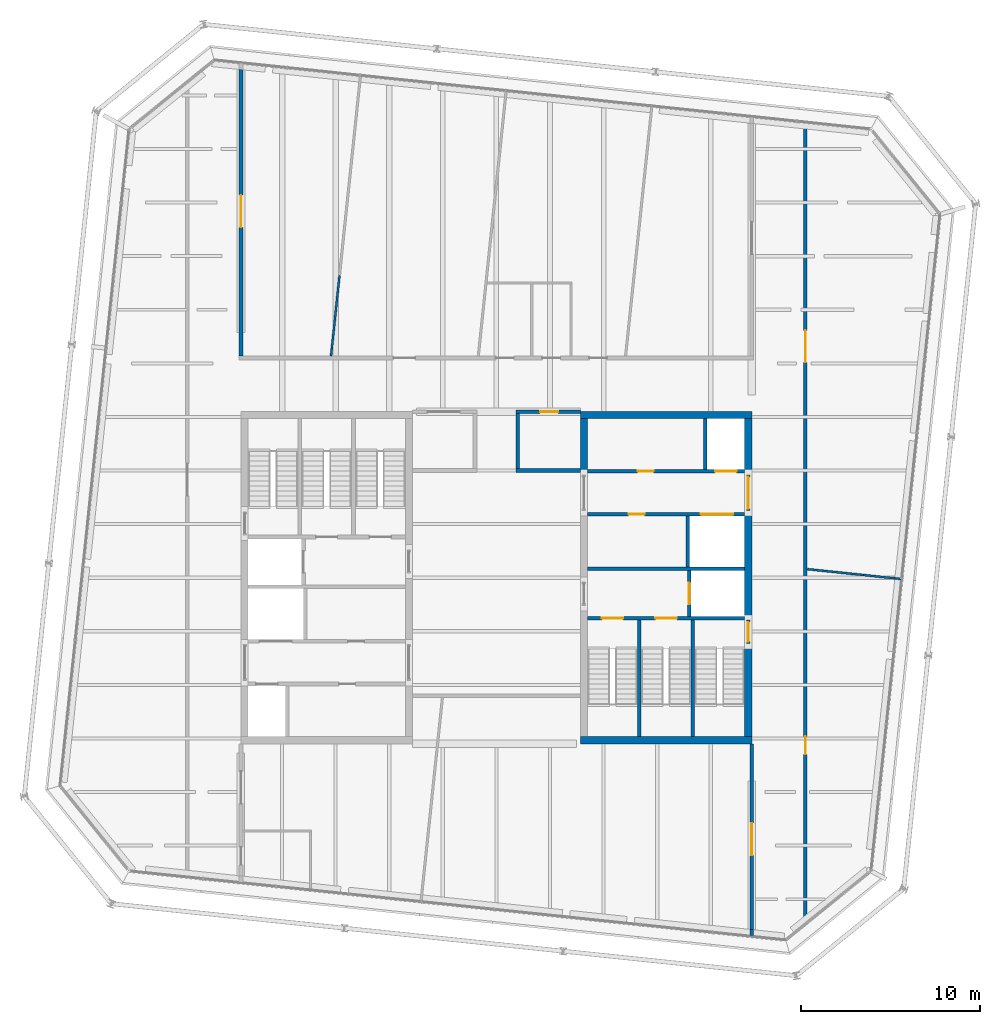
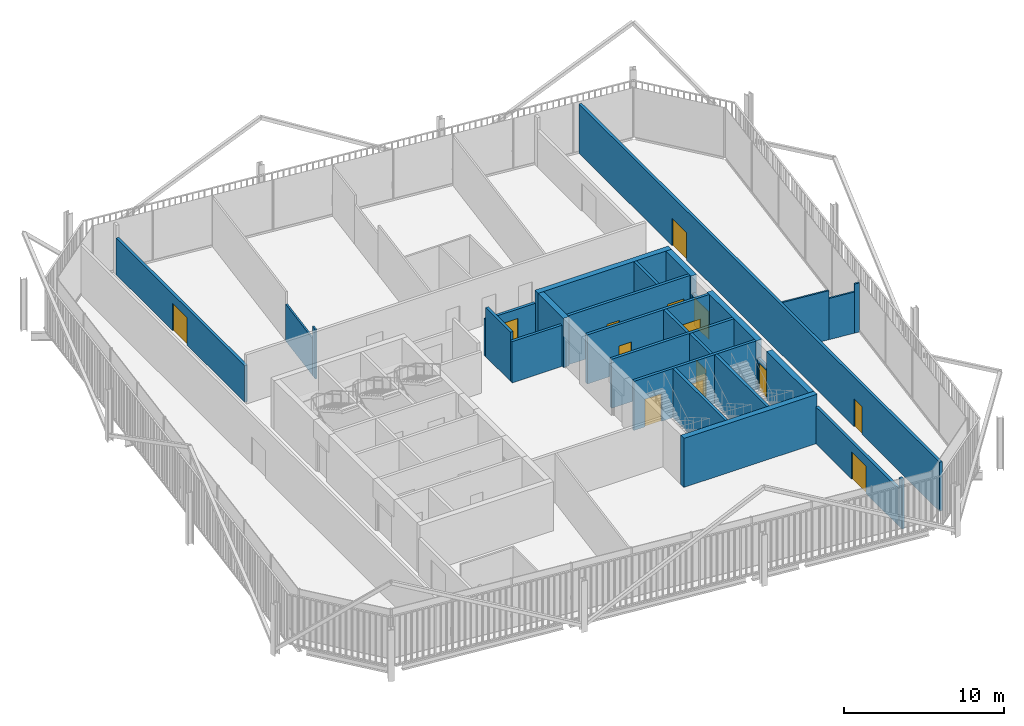
# One storey, part 18 of 21: 29 walls, 14 doors, 14 openings.
"""IFC4 building model written with IfcOpenShell, lengths in metres."""

from ifc_helpers import new_model, si_unit, direction, frame, frame_2d, origin, place, context, subcontext, project, spatial, rectangle, extrude, material, layer, layer_set, type_object, element, fill, save


model = new_model("IFC4")

# Units and contexts
model_context = context("Model", 3, precision=1e-05, world=origin(), true_north=direction((0.0, 1.0)))
body_context = subcontext(model_context, "Body", "Model", "MODEL_VIEW")
ifc_project = project(units=[si_unit("LENGTHUNIT", "METRE"), si_unit("AREAUNIT", "SQUARE_METRE"), si_unit("VOLUMEUNIT", "CUBIC_METRE"), si_unit("PLANEANGLEUNIT", "RADIAN"), si_unit("MASSUNIT", "GRAM", prefix="KILO")], contexts=[model_context])

# Site, building, storey
site_placement = place(None, origin())
site = spatial("IfcSite", under=ifc_project, at=site_placement, CompositionType="ELEMENT")
building_placement = place(site_placement, origin())
building = spatial("IfcBuilding", under=site, at=building_placement, Name="Millrace Tower", CompositionType="ELEMENT")
storey_placement = place(building_placement, frame((0.0, 0.0, 276.0)))
storey = spatial("IfcBuildingStorey", under=building, at=storey_placement, Name="L63", CompositionType="ELEMENT", Elevation=276.0)

# Walls
ifc_material_1 = material(Name="Concrete C60", Category="concrete")
ifc_layer_1 = layer(ifc_material_1, 0.39990234375)
ifc_layer_set_1 = layer_set([ifc_layer_1], Name="Concrete C60")
wall_type_1 = type_object("IfcWallType", Name="Core wall 400 Concrete C60", PredefinedType="SHEAR", material=ifc_layer_set_1)
for number, where, z_axis, x_axis, name in (
    (1, (14.300048828125, 9.10009765625, 0.0), (0.0, 0.0, 1.0), (-1.0, 0.0, 0.0), "Core wall E L63"),
    (2, (14.300048828125, -9.10009765625, 0.0), (0.0, 0.0, 1.0), (-1.0, 0.0, 0.0), "Core wall E L63"),
):
    element("IfcWall", number, at=place(storey_placement, frame(where, z_axis=z_axis, x_axis=x_axis)), inside=storey, type_object=wall_type_1, Name=name, PredefinedType="SHEAR", context=body_context, shape_type="SweptSolid", body=[
        extrude(rectangle(XDim=9.60009765625, YDim=0.39990234375, at=frame_2d((4.800048828125, 0.0))), origin(), (0.0, 0.0, 1.0), 3.739990234375),
    ])
wall_1_placement = place(storey_placement, frame((14.10009765625, 8.89990234375, 0.0), z_axis=(0.0, 0.0, 1.0), x_axis=(0.0, -1.0, 0.0)))
element("IfcWall", 3, at=wall_1_placement, inside=storey, type_object=wall_type_1, Name="Core wall E L63", PredefinedType="SHEAR", context=body_context, shape_type="SweptSolid", body=[
    extrude(rectangle(XDim=3.14990234375, YDim=0.39990234375, at=frame_2d((1.574951171875, 0.0))), origin(), (0.0, 0.0, 1.0), 3.739990234375),
])
wall_2_placement = place(storey_placement, frame((14.10009765625, 3.75, 0.0), z_axis=(0.0, 0.0, 1.0), x_axis=(0.0, -1.0, 0.0)))
element("IfcWall", 4, at=wall_2_placement, inside=storey, type_object=wall_type_1, Name="Core wall E L63", PredefinedType="SHEAR", context=body_context, shape_type="SweptSolid", body=[
    extrude(rectangle(XDim=6.1298828125, YDim=0.39990234375, at=frame_2d((3.06494140625, 0.0))), origin(), (0.0, 0.0, 1.0), 3.739990234375),
])
wall_3_placement = place(storey_placement, frame((14.10009765625, -3.679931640625, 0.0), z_axis=(0.0, 0.0, 1.0), x_axis=(0.0, -1.0, 0.0)))
element("IfcWall", 5, at=wall_3_placement, inside=storey, type_object=wall_type_1, Name="Core wall E L63", PredefinedType="SHEAR", context=body_context, shape_type="SweptSolid", body=[
    extrude(rectangle(XDim=5.219970703125, YDim=0.39990234375, at=frame_2d((2.60986328125, 0.0))), origin(), (0.0, 0.0, 1.0), 3.739990234375),
])
wall_4_placement = place(storey_placement, frame((4.89990234375, 8.89990234375, 0.0), z_axis=(0.0, 0.0, 1.0), x_axis=(0.0, -1.0, 0.0)))
element("IfcWall", 6, at=wall_4_placement, inside=storey, type_object=wall_type_1, Name="Core wall E L63", PredefinedType="SHEAR", context=body_context, shape_type="SweptSolid", body=[
    extrude(rectangle(XDim=3.14990234375, YDim=0.39990234375, at=frame_2d((1.574951171875, 0.0))), origin(), (0.0, 0.0, 1.0), 3.739990234375),
])
ifc_material_2 = material(Name="Masonry partition, fire-rated", Category="masonry")
ifc_layer_2 = layer(ifc_material_2, 0.199951171875)
ifc_layer_set_2 = layer_set([ifc_layer_2], Name="Masonry partition, fire-rated")
wall_type_2 = type_object("IfcWallType", Name="Corridor wall 200", PredefinedType="PARTITIONING", material=ifc_layer_set_2)
wall_5_placement = place(storey_placement, frame((1.10009765625, 6.0, 0.0), z_axis=(0.0, 0.0, 1.0), x_axis=(1.0, 0.0, 0.0)))
element("IfcWall", 7, at=wall_5_placement, inside=storey, type_object=wall_type_2, Name="Corridor wall L63", PredefinedType="PARTITIONING", context=body_context, shape_type="SweptSolid", body=[
    extrude(rectangle(XDim=3.599853515625, YDim=0.199951171875, at=frame_2d((1.7998046875, 0.0))), origin(), (0.0, 0.0, 1.0), 3.140625),
])

# Wall, opening, door
wall_6_placement = place(storey_placement, frame((1.10009765625, 9.300048828125, 0.0), z_axis=(0.0, 0.0, 1.0), x_axis=(1.0, 0.0, 0.0)))
wall_6 = element("IfcWall", 8, at=wall_6_placement, inside=storey, type_object=wall_type_2, Name="Corridor wall L63", PredefinedType="PARTITIONING", context=body_context, shape_type="SweptSolid", body=[
    extrude(rectangle(XDim=3.599853515625, YDim=0.199951171875, at=frame_2d((1.7998046875, 0.0))), origin(), (0.0, 0.0, 1.0), 2.81298828125),
])
opening_1_placement = place(wall_6_placement, frame((1.35009765625, 0.0, 0.0)))
opening_1 = element("IfcOpeningElement", 9, at=opening_1_placement, cuts=wall_6, Name="Opening 63-P002", PredefinedType="OPENING", context=body_context, shape_type="SweptSolid", body=[
    extrude(rectangle(XDim=1.0, YDim=2.10009765625, at=frame_2d((0.5, 1.050048828125))), frame((0.0, 0.10986328125, 0.0), z_axis=(0.0, -1.0, 0.0), x_axis=(1.0, 0.0, 0.0)), (0.0, 0.0, 1.0), 0.219970703125),
])
ifc_material_3 = material(Name="Steel door set, fire-rated", Category="steel")
door_type_1 = type_object("IfcDoorType", Name="Corridor door 1000 x 2100", OperationType="SINGLE_SWING_LEFT", PredefinedType="DOOR", material=ifc_material_3)
door_1_placement = place(opening_1_placement, frame((1.0, 0.0, 0.0), z_axis=(0.0, 0.0, 1.0), x_axis=(-1.0, 0.0, 0.0)))
door_1 = element("IfcDoor", 10, at=door_1_placement, inside=storey, type_object=door_type_1, Name="Door 63-P002", OperationType="SINGLE_SWING_LEFT", OverallHeight=2.10009765625, OverallWidth=1.0, PredefinedType="DOOR", context=body_context, shape_type="SweptSolid", body=[
    extrude(rectangle(XDim=1.0, YDim=2.10009765625, at=frame_2d((0.5, 1.050048828125))), frame((0.0, 0.02490234375, 0.0), z_axis=(0.0, -1.0, 0.0), x_axis=(1.0, 0.0, 0.0)), (0.0, 0.0, 1.0), 0.050048828125),
])
fill(opening_1, door_1)

# Wall, openings, doors
wall_7_placement = place(storey_placement, frame((17.300048828125, -19.5283203125, 0.0), z_axis=(0.0, 0.0, 1.0), x_axis=(0.0, 1.0, 0.0)))
wall_7 = element("IfcWall", 11, at=wall_7_placement, inside=storey, type_object=wall_type_2, Name="Corridor wall L63", PredefinedType="PARTITIONING", context=body_context, shape_type="SweptSolid", body=[
    extrude(rectangle(XDim=44.986572265625, YDim=0.199951171875, at=frame_2d((22.4931640625, 0.0))), origin(), (0.0, 0.0, 1.0), 3.739990234375),
])
opening_2_placement = place(wall_7_placement, frame((9.6416015625, 0.0, 0.0)))
opening_2 = element("IfcOpeningElement", 12, at=opening_2_placement, cuts=wall_7, Name="Opening 63-P010", PredefinedType="OPENING", context=body_context, shape_type="SweptSolid", body=[
    extrude(rectangle(XDim=1.0, YDim=2.10009765625, at=frame_2d((0.5, 1.050048828125))), frame((0.0, 0.10986328125, 0.0), z_axis=(0.0, -1.0, 0.0), x_axis=(1.0, 0.0, 0.0)), (0.0, 0.0, 1.0), 0.219970703125),
])
opening_3_placement = place(wall_7_placement, frame((31.57763671875, 0.0, 0.0)))
opening_3 = element("IfcOpeningElement", 13, at=opening_3_placement, cuts=wall_7, Name="Opening 63-P011", PredefinedType="OPENING", context=body_context, shape_type="SweptSolid", body=[
    extrude(rectangle(XDim=1.800048828125, YDim=2.10009765625, at=frame_2d((0.89990234375, 1.050048828125))), frame((0.0, 0.10986328125, 0.0), z_axis=(0.0, -1.0, 0.0), x_axis=(1.0, 0.0, 0.0)), (0.0, 0.0, 1.0), 0.219970703125),
])
door_2_placement = place(opening_2_placement, frame((1.0, 0.0, 0.0), z_axis=(0.0, 0.0, 1.0), x_axis=(-1.0, 0.0, 0.0)))
door_2 = element("IfcDoor", 14, at=door_2_placement, inside=storey, type_object=door_type_1, Name="Door 63-P010", OperationType="SINGLE_SWING_RIGHT", OverallHeight=2.10009765625, OverallWidth=1.0, PredefinedType="DOOR", context=body_context, shape_type="SweptSolid", body=[
    extrude(rectangle(XDim=1.0, YDim=2.10009765625, at=frame_2d((0.5, 1.050048828125))), frame((0.0, 0.02490234375, 0.0), z_axis=(0.0, -1.0, 0.0), x_axis=(1.0, 0.0, 0.0)), (0.0, 0.0, 1.0), 0.050048828125),
])
fill(opening_2, door_2)
ifc_material_4 = material(Name="Steel door set, fire-rated", Category="steel")
door_type_2 = type_object("IfcDoorType", Name="Corridor door 1800 x 2100", OperationType="DOUBLE_DOOR_SINGLE_SWING", PredefinedType="DOOR", material=ifc_material_4)
door_3_placement = place(opening_3_placement, origin())
door_3 = element("IfcDoor", 15, at=door_3_placement, inside=storey, type_object=door_type_2, Name="Door 63-P011", OperationType="DOUBLE_DOOR_SINGLE_SWING", OverallHeight=2.10009765625, OverallWidth=1.800048828125, PredefinedType="DOOR", context=body_context, shape_type="SweptSolid", body=[
    extrude(rectangle(XDim=1.800048828125, YDim=2.10009765625, at=frame_2d((0.89990234375, 1.050048828125))), frame((0.0, 0.02490234375, 0.0), z_axis=(0.0, -1.0, 0.0), x_axis=(1.0, 0.0, 0.0)), (0.0, 0.0, 1.0), 0.050048828125),
])
fill(opening_3, door_3)

# Wall
wall_8_placement = place(storey_placement, frame((14.300048828125, -20.037353515625, 0.0), z_axis=(0.0, 0.0, 1.0), x_axis=(0.0, 1.0, 0.0)))
element("IfcWall", 16, at=wall_8_placement, inside=storey, type_object=wall_type_2, Name="Corridor wall L63", PredefinedType="PARTITIONING", context=body_context, shape_type="SweptSolid", body=[
    extrude(rectangle(XDim=0.339111328125, YDim=0.199951171875, at=frame_2d((0.16943359375, 0.0))), origin(), (0.0, 0.0, 1.0), 3.739990234375),
])

# Wall, opening, door
wall_9_placement = place(storey_placement, frame((14.300048828125, -19.6982421875, 0.0), z_axis=(0.0, 0.0, 1.0), x_axis=(0.0, 1.0, 0.0)))
wall_9 = element("IfcWall", 17, at=wall_9_placement, inside=storey, type_object=wall_type_2, Name="Corridor wall L63", PredefinedType="PARTITIONING", context=body_context, shape_type="SweptSolid", body=[
    extrude(rectangle(XDim=10.398193359375, YDim=0.199951171875, at=frame_2d((5.19921875, 0.0))), origin(), (0.0, 0.0, 1.0), 2.81298828125),
])
opening_4_placement = place(wall_9_placement, frame((4.15478515625, 0.0, 0.0)))
opening_4 = element("IfcOpeningElement", 18, at=opening_4_placement, cuts=wall_9, Name="Opening 63-P014", PredefinedType="OPENING", context=body_context, shape_type="SweptSolid", body=[
    extrude(rectangle(XDim=1.800048828125, YDim=2.10009765625, at=frame_2d((0.89990234375, 1.050048828125))), frame((0.0, 0.10986328125, 0.0), z_axis=(0.0, -1.0, 0.0), x_axis=(1.0, 0.0, 0.0)), (0.0, 0.0, 1.0), 0.219970703125),
])
door_4_placement = place(opening_4_placement, frame((1.800048828125, 0.0, 0.0), z_axis=(0.0, 0.0, 1.0), x_axis=(-1.0, 0.0, 0.0)))
door_4 = element("IfcDoor", 19, at=door_4_placement, inside=storey, type_object=door_type_2, Name="Door 63-P014", OperationType="DOUBLE_DOOR_SINGLE_SWING", OverallHeight=2.10009765625, OverallWidth=1.800048828125, PredefinedType="DOOR", context=body_context, shape_type="SweptSolid", body=[
    extrude(rectangle(XDim=1.800048828125, YDim=2.10009765625, at=frame_2d((0.89990234375, 1.050048828125))), frame((0.0, 0.02490234375, 0.0), z_axis=(0.0, -1.0, 0.0), x_axis=(1.0, 0.0, 0.0)), (0.0, 0.0, 1.0), 0.050048828125),
])
fill(opening_4, door_4)

# Wall
wall_10_placement = place(storey_placement, frame((1.199951171875, 6.10009765625, 0.0), z_axis=(0.0, 0.0, 1.0), x_axis=(0.0, 1.0, 0.0)))
element("IfcWall", 20, at=wall_10_placement, inside=storey, type_object=wall_type_2, Name="Corridor wall L63", PredefinedType="PARTITIONING", context=body_context, shape_type="SweptSolid", body=[
    extrude(rectangle(XDim=3.099853515625, YDim=0.199951171875, at=frame_2d((1.5498046875, 0.0))), origin(), (0.0, 0.0, 1.0), 3.739990234375),
])

# Wall, opening, door
wall_11_placement = place(storey_placement, frame((-14.300048828125, 12.39990234375, 0.0), z_axis=(0.0, 0.0, 1.0), x_axis=(0.0, 1.0, 0.0)))
wall_11 = element("IfcWall", 21, at=wall_11_placement, inside=storey, type_object=wall_type_2, Name="Corridor wall L63", PredefinedType="PARTITIONING", context=body_context, shape_type="SweptSolid", body=[
    extrude(rectangle(XDim=16.040283203125, YDim=0.199951171875, at=frame_2d((8.02001953125, 0.0))), origin(), (0.0, 0.0, 1.0), 2.79248046875),
])
opening_5_placement = place(wall_11_placement, frame((7.214599609375, 0.0, 0.0)))
opening_5 = element("IfcOpeningElement", 22, at=opening_5_placement, cuts=wall_11, Name="Opening 63-P004", PredefinedType="OPENING", context=body_context, shape_type="SweptSolid", body=[
    extrude(rectangle(XDim=1.800048828125, YDim=2.10009765625, at=frame_2d((0.89990234375, 1.050048828125))), frame((0.0, 0.10986328125, 0.0), z_axis=(0.0, -1.0, 0.0), x_axis=(1.0, 0.0, 0.0)), (0.0, 0.0, 1.0), 0.219970703125),
])
door_5_placement = place(opening_5_placement, frame((1.800048828125, 0.0, 0.0), z_axis=(0.0, 0.0, 1.0), x_axis=(-1.0, 0.0, 0.0)))
door_5 = element("IfcDoor", 23, at=door_5_placement, inside=storey, type_object=door_type_2, Name="Door 63-P004", OperationType="DOUBLE_DOOR_SINGLE_SWING", OverallHeight=2.10009765625, OverallWidth=1.800048828125, PredefinedType="DOOR", context=body_context, shape_type="SweptSolid", body=[
    extrude(rectangle(XDim=1.800048828125, YDim=2.10009765625, at=frame_2d((0.89990234375, 1.050048828125))), frame((0.0, 0.02490234375, 0.0), z_axis=(0.0, -1.0, 0.0), x_axis=(1.0, 0.0, 0.0)), (0.0, 0.0, 1.0), 0.050048828125),
])
fill(opening_5, door_5)

# Wall, openings, doors
ifc_material_5 = material(Name="Masonry partition, fire-rated", Category="masonry")
ifc_layer_3 = layer(ifc_material_5, 0.199951171875)
ifc_layer_set_3 = layer_set([ifc_layer_3], Name="Masonry partition, fire-rated")
wall_type_3 = type_object("IfcWallType", Name="Lift shaft wall 200", PredefinedType="PARTITIONING", material=ifc_layer_set_3)
wall_12_placement = place(storey_placement, frame((13.89990234375, 5.949951171875, 0.0), z_axis=(0.0, 0.0, 1.0), x_axis=(-1.0, 0.0, 0.0)))
wall_12 = element("IfcWall", 24, at=wall_12_placement, inside=storey, type_object=wall_type_3, Name="Lift shaft wall E L63", PredefinedType="PARTITIONING", context=body_context, shape_type="SweptSolid", body=[
    extrude(rectangle(XDim=8.7998046875, YDim=0.199951171875, at=frame_2d((4.39990234375, 0.0))), origin(), (0.0, 0.0, 1.0), 3.739990234375),
])
opening_6_placement = place(wall_12_placement, frame((0.449951171875, 0.0, 0.0)))
opening_6 = element("IfcOpeningElement", 25, at=opening_6_placement, cuts=wall_12, Name="Opening 63-LD09", PredefinedType="OPENING", context=body_context, shape_type="SweptSolid", body=[
    extrude(rectangle(XDim=1.199951171875, YDim=2.10009765625, at=frame_2d((0.60009765625, 1.050048828125))), frame((0.0, 0.10986328125, 0.0), z_axis=(0.0, -1.0, 0.0), x_axis=(1.0, 0.0, 0.0)), (0.0, 0.0, 1.0), 0.219970703125),
])
opening_7_placement = place(wall_12_placement, frame((5.10009765625, 0.0, 0.0)))
opening_7 = element("IfcOpeningElement", 26, at=opening_7_placement, cuts=wall_12, Name="Opening 63-C013", PredefinedType="OPENING", context=body_context, shape_type="SweptSolid", body=[
    extrude(rectangle(XDim=0.89990234375, YDim=2.10009765625, at=frame_2d((0.449951171875, 1.050048828125))), frame((0.0, 0.10986328125, 0.0), z_axis=(0.0, -1.0, 0.0), x_axis=(1.0, 0.0, 0.0)), (0.0, 0.0, 1.0), 0.219970703125),
])
ifc_material_6 = material(Name="Stainless steel, fire-rated", Category="steel")
door_type_3 = type_object("IfcDoorType", Name="Lift landing door 1200 x 2100", OperationType="DOUBLE_DOOR_SLIDING", PredefinedType="DOOR", material=ifc_material_6)
door_6_placement = place(opening_6_placement, origin())
door_6 = element("IfcDoor", 27, at=door_6_placement, inside=storey, type_object=door_type_3, Name="Lift landing door LF9 L63", OperationType="DOUBLE_DOOR_SLIDING", OverallHeight=2.10009765625, OverallWidth=1.199951171875, PredefinedType="DOOR", context=body_context, shape_type="SweptSolid", body=[
    extrude(rectangle(XDim=1.199951171875, YDim=2.10009765625, at=frame_2d((0.60009765625, 1.050048828125))), frame((0.0, 0.02490234375, 0.0), z_axis=(0.0, -1.0, 0.0), x_axis=(1.0, 0.0, 0.0)), (0.0, 0.0, 1.0), 0.050048828125),
])
fill(opening_6, door_6)
ifc_material_7 = material(Name="Steel door, fire-rated", Category="steel")
door_type_4 = type_object("IfcDoorType", Name="Service room door 900 x 2100", OperationType="SINGLE_SWING_LEFT", PredefinedType="DOOR", material=ifc_material_7)
door_7_placement = place(opening_7_placement, frame((0.89990234375, 0.0, 0.0), z_axis=(0.0, 0.0, 1.0), x_axis=(-1.0, 0.0, 0.0)))
door_7 = element("IfcDoor", 28, at=door_7_placement, inside=storey, type_object=door_type_4, Name="Service room door 63-C013", OperationType="SINGLE_SWING_LEFT", OverallHeight=2.10009765625, OverallWidth=0.89990234375, PredefinedType="DOOR", context=body_context, shape_type="SweptSolid", body=[
    extrude(rectangle(XDim=0.89990234375, YDim=2.10009765625, at=frame_2d((0.449951171875, 1.050048828125))), frame((0.0, 0.02490234375, 0.0), z_axis=(0.0, -1.0, 0.0), x_axis=(1.0, 0.0, 0.0)), (0.0, 0.0, 1.0), 0.050048828125),
])
fill(opening_7, door_7)

wall_13_placement = place(storey_placement, frame((13.89990234375, 3.550048828125, 0.0), z_axis=(0.0, 0.0, 1.0), x_axis=(-1.0, 0.0, 0.0)))
wall_13 = element("IfcWall", 29, at=wall_13_placement, inside=storey, type_object=wall_type_3, Name="Lift shaft wall E L63", PredefinedType="PARTITIONING", context=body_context, shape_type="SweptSolid", body=[
    extrude(rectangle(XDim=8.7998046875, YDim=0.199951171875, at=frame_2d((4.39990234375, 0.0))), origin(), (0.0, 0.0, 1.0), 3.739990234375),
])
opening_8_placement = place(wall_13_placement, frame((0.64990234375, 0.0, 0.0)))
opening_8 = element("IfcOpeningElement", 30, at=opening_8_placement, cuts=wall_13, Name="Opening 63-LD13", PredefinedType="OPENING", context=body_context, shape_type="SweptSolid", body=[
    extrude(rectangle(XDim=1.800048828125, YDim=2.10009765625, at=frame_2d((0.89990234375, 1.050048828125))), frame((0.0, 0.10986328125, 0.0), z_axis=(0.0, -1.0, 0.0), x_axis=(1.0, 0.0, 0.0)), (0.0, 0.0, 1.0), 0.219970703125),
])
opening_9_placement = place(wall_13_placement, frame((5.60009765625, 0.0, 0.0)))
opening_9 = element("IfcOpeningElement", 31, at=opening_9_placement, cuts=wall_13, Name="Opening 63-C014", PredefinedType="OPENING", context=body_context, shape_type="SweptSolid", body=[
    extrude(rectangle(XDim=0.89990234375, YDim=2.10009765625, at=frame_2d((0.449951171875, 1.050048828125))), frame((0.0, 0.10986328125, 0.0), z_axis=(0.0, -1.0, 0.0), x_axis=(1.0, 0.0, 0.0)), (0.0, 0.0, 1.0), 0.219970703125),
])
ifc_material_8 = material(Name="Stainless steel, fire-rated", Category="steel")
door_type_5 = type_object("IfcDoorType", Name="Lift landing door 1800 x 2100", OperationType="DOUBLE_DOOR_SLIDING", PredefinedType="DOOR", material=ifc_material_8)
door_8_placement = place(opening_8_placement, origin())
door_8 = element("IfcDoor", 32, at=door_8_placement, inside=storey, type_object=door_type_5, Name="Lift landing door LF13 L63", OperationType="DOUBLE_DOOR_SLIDING", OverallHeight=2.10009765625, OverallWidth=1.800048828125, PredefinedType="DOOR", context=body_context, shape_type="SweptSolid", body=[
    extrude(rectangle(XDim=1.800048828125, YDim=2.10009765625, at=frame_2d((0.89990234375, 1.050048828125))), frame((0.0, 0.02490234375, 0.0), z_axis=(0.0, -1.0, 0.0), x_axis=(1.0, 0.0, 0.0)), (0.0, 0.0, 1.0), 0.050048828125),
])
fill(opening_8, door_8)
door_9_placement = place(opening_9_placement, origin())
door_9 = element("IfcDoor", 33, at=door_9_placement, inside=storey, type_object=door_type_4, Name="Service room door 63-C014", OperationType="SINGLE_SWING_RIGHT", OverallHeight=2.10009765625, OverallWidth=0.89990234375, PredefinedType="DOOR", context=body_context, shape_type="SweptSolid", body=[
    extrude(rectangle(XDim=0.89990234375, YDim=2.10009765625, at=frame_2d((0.449951171875, 1.050048828125))), frame((0.0, 0.02490234375, 0.0), z_axis=(0.0, -1.0, 0.0), x_axis=(1.0, 0.0, 0.0)), (0.0, 0.0, 1.0), 0.050048828125),
])
fill(opening_9, door_9)

# Wall
wall_14_placement = place(storey_placement, frame((13.89990234375, 0.5, 0.0), z_axis=(0.0, 0.0, 1.0), x_axis=(-1.0, 0.0, 0.0)))
element("IfcWall", 34, at=wall_14_placement, inside=storey, type_object=wall_type_3, Name="Lift shaft wall E L63", PredefinedType="PARTITIONING", context=body_context, shape_type="SweptSolid", body=[
    extrude(rectangle(XDim=8.7998046875, YDim=0.199951171875, at=frame_2d((4.39990234375, 0.0))), origin(), (0.0, 0.0, 1.0), 3.739990234375),
])

# Wall, opening, door
wall_15_placement = place(storey_placement, frame((10.800048828125, 0.39990234375, 0.0), z_axis=(0.0, 0.0, 1.0), x_axis=(0.0, -1.0, 0.0)))
wall_15 = element("IfcWall", 35, at=wall_15_placement, inside=storey, type_object=wall_type_3, Name="Lift shaft wall E L63", PredefinedType="PARTITIONING", context=body_context, shape_type="SweptSolid", body=[
    extrude(rectangle(XDim=2.579833984375, YDim=0.199951171875, at=frame_2d((1.2900390625, 0.0))), origin(), (0.0, 0.0, 1.0), 3.739990234375),
])
opening_10_placement = place(wall_15_placement, frame((0.68994140625, 0.0, 0.0)))
opening_10 = element("IfcOpeningElement", 36, at=opening_10_placement, cuts=wall_15, Name="Opening 63-LD16", PredefinedType="OPENING", context=body_context, shape_type="SweptSolid", body=[
    extrude(rectangle(XDim=1.199951171875, YDim=2.10009765625, at=frame_2d((0.60009765625, 1.050048828125))), frame((0.0, 0.10986328125, 0.0), z_axis=(0.0, -1.0, 0.0), x_axis=(1.0, 0.0, 0.0)), (0.0, 0.0, 1.0), 0.219970703125),
])
door_10_placement = place(opening_10_placement, origin())
door_10 = element("IfcDoor", 37, at=door_10_placement, inside=storey, type_object=door_type_3, Name="Lift landing door LF16 L63", OperationType="DOUBLE_DOOR_SLIDING", OverallHeight=2.10009765625, OverallWidth=1.199951171875, PredefinedType="DOOR", context=body_context, shape_type="SweptSolid", body=[
    extrude(rectangle(XDim=1.199951171875, YDim=2.10009765625, at=frame_2d((0.60009765625, 1.050048828125))), frame((0.0, 0.02490234375, 0.0), z_axis=(0.0, -1.0, 0.0), x_axis=(1.0, 0.0, 0.0)), (0.0, 0.0, 1.0), 0.050048828125),
])
fill(opening_10, door_10)

# Walls
for number, where, z_axis, x_axis, name in (
    (38, (11.699951171875, 8.89990234375, 0.0), (0.0, 0.0, 1.0), (0.0, -1.0, 0.0), "Lift shaft wall E L63"),
    (39, (10.699951171875, 3.449951171875, 0.0), (0.0, 0.0, 1.0), (0.0, -1.0, 0.0), "Lift shaft wall E L63"),
):
    element("IfcWall", number, at=place(storey_placement, frame(where, z_axis=z_axis, x_axis=x_axis)), inside=storey, type_object=wall_type_3, Name=name, PredefinedType="PARTITIONING", context=body_context, shape_type="SweptSolid", body=[
        extrude(rectangle(XDim=2.849853515625, YDim=0.199951171875, at=frame_2d((1.4248046875, 0.0))), origin(), (0.0, 0.0, 1.0), 3.739990234375),
    ])

# Wall, opening, door
ifc_material_9 = material(Name="Masonry partition, fire-rated", Category="masonry")
ifc_layer_4 = layer(ifc_material_9, 0.199951171875)
ifc_layer_set_4 = layer_set([ifc_layer_4], Name="Masonry partition, fire-rated")
wall_type_4 = type_object("IfcWallType", Name="Lobby wall 200", PredefinedType="PARTITIONING", material=ifc_layer_set_4)
wall_16_placement = place(storey_placement, frame((14.10009765625, 5.75, 0.0), z_axis=(0.0, 0.0, 1.0), x_axis=(0.0, -1.0, 0.0)))
wall_16 = element("IfcWall", 40, at=wall_16_placement, inside=storey, type_object=wall_type_4, Name="Lobby wall E L63", PredefinedType="PARTITIONING", context=body_context, shape_type="SweptSolid", body=[
    extrude(rectangle(XDim=2.0, YDim=0.199951171875, at=frame_2d((1.0, 0.0))), origin(), (0.0, 0.0, 1.0), 2.39990234375),
])
opening_11_placement = place(wall_16_placement, frame((0.10009765625, 0.0, 0.0)))
opening_11 = element("IfcOpeningElement", 41, at=opening_11_placement, cuts=wall_16, Name="Opening 63-C009", PredefinedType="OPENING", context=body_context, shape_type="SweptSolid", body=[
    extrude(rectangle(XDim=1.800048828125, YDim=2.10009765625, at=frame_2d((0.89990234375, 1.050048828125))), frame((0.0, 0.10986328125, 0.0), z_axis=(0.0, -1.0, 0.0), x_axis=(1.0, 0.0, 0.0)), (0.0, 0.0, 1.0), 0.219970703125),
])
ifc_material_10 = material(Name="Steel door, fire-rated", Category="steel")
door_type_6 = type_object("IfcDoorType", Name="Lobby door 1800 x 2100", OperationType="DOUBLE_DOOR_SINGLE_SWING", PredefinedType="DOOR", material=ifc_material_10)
door_11_placement = place(opening_11_placement, origin())
door_11 = element("IfcDoor", 42, at=door_11_placement, inside=storey, type_object=door_type_6, Name="Lobby door 63-C009", OperationType="DOUBLE_DOOR_SINGLE_SWING", OverallHeight=2.10009765625, OverallWidth=1.800048828125, PredefinedType="DOOR", context=body_context, shape_type="SweptSolid", body=[
    extrude(rectangle(XDim=1.800048828125, YDim=2.10009765625, at=frame_2d((0.89990234375, 1.050048828125))), frame((0.0, 0.02490234375, 0.0), z_axis=(0.0, -1.0, 0.0), x_axis=(1.0, 0.0, 0.0)), (0.0, 0.0, 1.0), 0.050048828125),
])
fill(opening_11, door_11)

# Walls
ifc_material_11 = material(Name="Gypsum board partition")
ifc_layer_5 = layer(ifc_material_11, 0.1201171875)
ifc_layer_set_5 = layer_set([ifc_layer_5], Name="Gypsum board partition")
wall_type_5 = type_object("IfcWallType", Name="Partition wall 120", PredefinedType="PARTITIONING", material=ifc_layer_set_5)
wall_17_placement = place(storey_placement, frame((17.3994140625, 0.48046875, 0.0), z_axis=(0.0, 0.0, 1.0), x_axis=(0.994526077067, -0.104488669403, 0.0)))
element("IfcWall", 43, at=wall_17_placement, inside=storey, type_object=wall_type_5, Name="Partition wall L63", PredefinedType="PARTITIONING", context=body_context, shape_type="SweptSolid", body=[
    extrude(rectangle(XDim=3.17529296875, YDim=0.1201171875, at=frame_2d((1.587646484375, 0.0))), origin(), (0.0, 0.0, 1.0), 3.739990234375),
])
wall_18_placement = place(storey_placement, frame((20.557373046875, 0.148681640625, 0.0), z_axis=(0.0, 0.0, 1.0), x_axis=(0.99452965292, -0.104454628731, 0.0)))
element("IfcWall", 44, at=wall_18_placement, inside=storey, type_object=wall_type_5, Name="Partition wall L63", PredefinedType="PARTITIONING", context=body_context, shape_type="SweptSolid", body=[
    extrude(rectangle(XDim=1.76708984375, YDim=0.1201171875, at=frame_2d((0.883544921875, 0.0))), origin(), (0.0, 0.0, 1.0), 3.140625),
])
wall_19_placement = place(storey_placement, frame((22.314697265625, -0.035888671875, 0.0), z_axis=(0.0, 0.0, 1.0), x_axis=(0.994476864797, -0.104956016419, 0.0)))
element("IfcWall", 45, at=wall_19_placement, inside=storey, type_object=wall_type_5, Name="Partition wall L63", PredefinedType="PARTITIONING", context=body_context, shape_type="SweptSolid", body=[
    extrude(rectangle(XDim=0.327880859375, YDim=0.1201171875, at=frame_2d((0.1640625, 0.0))), origin(), (0.0, 0.0, 1.0), 3.739990234375),
])
wall_20_placement = place(storey_placement, frame((-9.260498046875, 12.3994140625, 0.0), z_axis=(0.0, 0.0, 1.0), x_axis=(0.104319005638, 0.994543887952, 0.0)))
element("IfcWall", 46, at=wall_20_placement, inside=storey, type_object=wall_type_5, Name="Partition wall L63", PredefinedType="PARTITIONING", context=body_context, shape_type="SweptSolid", body=[
    extrude(rectangle(XDim=0.45166015625, YDim=0.1201171875, at=frame_2d((0.225830078125, 0.0))), origin(), (0.0, 0.0, 1.0), 3.739990234375),
])
wall_21_placement = place(storey_placement, frame((-9.21337890625, 12.8486328125, 0.0), z_axis=(0.0, 0.0, 1.0), x_axis=(0.104547794158, 0.99451986342, 0.0)))
element("IfcWall", 47, at=wall_21_placement, inside=storey, type_object=wall_type_5, Name="Partition wall L63", PredefinedType="PARTITIONING", context=body_context, shape_type="SweptSolid", body=[
    extrude(rectangle(XDim=4.08203125, YDim=0.1201171875, at=frame_2d((2.041015625, 0.0))), origin(), (0.0, 0.0, 1.0), 2.81298828125),
])

# Wall, opening, door
ifc_material_12 = material(Name="Concrete C40", Category="concrete")
ifc_layer_6 = layer(ifc_material_12, 0.199951171875)
ifc_layer_set_6 = layer_set([ifc_layer_6], Name="Concrete C40")
wall_type_6 = type_object("IfcWallType", Name="Stair enclosure wall 200 Concrete C40", PredefinedType="SHEAR", material=ifc_layer_set_6)
wall_22_placement = place(storey_placement, frame((14.10009765625, -2.3798828125, 0.0), z_axis=(0.0, 0.0, 1.0), x_axis=(0.0, -1.0, 0.0)))
wall_22 = element("IfcWall", 48, at=wall_22_placement, inside=storey, type_object=wall_type_6, Name="Stair enclosure wall E L63", PredefinedType="SHEAR", context=body_context, shape_type="SweptSolid", body=[
    extrude(rectangle(XDim=1.300048828125, YDim=0.199951171875, at=frame_2d((0.64990234375, 0.0))), origin(), (0.0, 0.0, 1.0), 2.39990234375),
])
opening_12_placement = place(wall_22_placement, frame((0.10009765625, 0.0, 0.0)))
opening_12 = element("IfcOpeningElement", 49, at=opening_12_placement, cuts=wall_22, Name="Opening 63-C010", PredefinedType="OPENING", context=body_context, shape_type="SweptSolid", body=[
    extrude(rectangle(XDim=1.10009765625, YDim=2.10009765625, at=frame_2d((0.550048828125, 1.050048828125))), frame((0.0, 0.10986328125, 0.0), z_axis=(0.0, -1.0, 0.0), x_axis=(1.0, 0.0, 0.0)), (0.0, 0.0, 1.0), 0.219970703125),
])
ifc_material_13 = material(Name="Steel door, fire-rated", Category="steel")
door_type_7 = type_object("IfcDoorType", Name="Stair door 1100 x 2100", OperationType="SINGLE_SWING_LEFT", PredefinedType="DOOR", material=ifc_material_13)
door_12_placement = place(opening_12_placement, origin())
door_12 = element("IfcDoor", 50, at=door_12_placement, inside=storey, type_object=door_type_7, Name="Stair door 63-C010", OperationType="SINGLE_SWING_LEFT", OverallHeight=2.10009765625, OverallWidth=1.10009765625, PredefinedType="DOOR", context=body_context, shape_type="SweptSolid", body=[
    extrude(rectangle(XDim=1.10009765625, YDim=2.10009765625, at=frame_2d((0.550048828125, 1.050048828125))), frame((0.0, 0.02490234375, 0.0), z_axis=(0.0, -1.0, 0.0), x_axis=(1.0, 0.0, 0.0)), (0.0, 0.0, 1.0), 0.050048828125),
])
fill(opening_12, door_12)

# Wall, openings, doors
wall_23_placement = place(storey_placement, frame((13.89990234375, -2.280029296875, 0.0), z_axis=(0.0, 0.0, 1.0), x_axis=(-1.0, 0.0, 0.0)))
wall_23 = element("IfcWall", 51, at=wall_23_placement, inside=storey, type_object=wall_type_6, Name="Stair enclosure wall E L63", PredefinedType="SHEAR", context=body_context, shape_type="SweptSolid", body=[
    extrude(rectangle(XDim=8.7998046875, YDim=0.199951171875, at=frame_2d((4.39990234375, 0.0))), origin(), (0.0, 0.0, 1.0), 3.739990234375),
])
opening_13_placement = place(wall_23_placement, frame((3.800048828125, 0.0, 0.0)))
opening_13 = element("IfcOpeningElement", 52, at=opening_13_placement, cuts=wall_23, Name="Opening 63-C015", PredefinedType="OPENING", context=body_context, shape_type="SweptSolid", body=[
    extrude(rectangle(XDim=1.199951171875, YDim=2.10009765625, at=frame_2d((0.60009765625, 1.050048828125))), frame((0.0, 0.10986328125, 0.0), z_axis=(0.0, -1.0, 0.0), x_axis=(1.0, 0.0, 0.0)), (0.0, 0.0, 1.0), 0.219970703125),
])
opening_14_placement = place(wall_23_placement, frame((6.800048828125, 0.0, 0.0)))
opening_14 = element("IfcOpeningElement", 53, at=opening_14_placement, cuts=wall_23, Name="Opening 63-C016", PredefinedType="OPENING", context=body_context, shape_type="SweptSolid", body=[
    extrude(rectangle(XDim=1.199951171875, YDim=2.10009765625, at=frame_2d((0.60009765625, 1.050048828125))), frame((0.0, 0.10986328125, 0.0), z_axis=(0.0, -1.0, 0.0), x_axis=(1.0, 0.0, 0.0)), (0.0, 0.0, 1.0), 0.219970703125),
])
ifc_material_14 = material(Name="Steel door, fire-rated", Category="steel")
door_type_8 = type_object("IfcDoorType", Name="Stair door 1200 x 2100", OperationType="SINGLE_SWING_LEFT", PredefinedType="DOOR", material=ifc_material_14)
door_13_placement = place(opening_13_placement, frame((1.199951171875, 0.0, 0.0), z_axis=(0.0, 0.0, 1.0), x_axis=(-1.0, 0.0, 0.0)))
door_13 = element("IfcDoor", 54, at=door_13_placement, inside=storey, type_object=door_type_8, Name="Stair door 63-C015", OperationType="SINGLE_SWING_RIGHT", OverallHeight=2.10009765625, OverallWidth=1.199951171875, PredefinedType="DOOR", context=body_context, shape_type="SweptSolid", body=[
    extrude(rectangle(XDim=1.199951171875, YDim=2.10009765625, at=frame_2d((0.60009765625, 1.050048828125))), frame((0.0, 0.02490234375, 0.0), z_axis=(0.0, -1.0, 0.0), x_axis=(1.0, 0.0, 0.0)), (0.0, 0.0, 1.0), 0.050048828125),
])
fill(opening_13, door_13)
door_14_placement = place(opening_14_placement, frame((1.199951171875, 0.0, 0.0), z_axis=(0.0, 0.0, 1.0), x_axis=(-1.0, 0.0, 0.0)))
door_14 = element("IfcDoor", 55, at=door_14_placement, inside=storey, type_object=door_type_8, Name="Stair door 63-C016", OperationType="SINGLE_SWING_LEFT", OverallHeight=2.10009765625, OverallWidth=1.199951171875, PredefinedType="DOOR", context=body_context, shape_type="SweptSolid", body=[
    extrude(rectangle(XDim=1.199951171875, YDim=2.10009765625, at=frame_2d((0.60009765625, 1.050048828125))), frame((0.0, 0.02490234375, 0.0), z_axis=(0.0, -1.0, 0.0), x_axis=(1.0, 0.0, 0.0)), (0.0, 0.0, 1.0), 0.050048828125),
])
fill(opening_14, door_14)

# Walls
for number, where, z_axis, x_axis, name in (
    (56, (11.0, -2.3798828125, 0.0), (0.0, 0.0, 1.0), (0.0, -1.0, 0.0), "Stair enclosure wall E L63"),
    (57, (8.0, -2.3798828125, 0.0), (0.0, 0.0, 1.0), (0.0, -1.0, 0.0), "Stair enclosure wall E L63"),
):
    element("IfcWall", number, at=place(storey_placement, frame(where, z_axis=z_axis, x_axis=x_axis)), inside=storey, type_object=wall_type_6, Name=name, PredefinedType="SHEAR", context=body_context, shape_type="SweptSolid", body=[
        extrude(rectangle(XDim=6.52001953125, YDim=0.199951171875, at=frame_2d((3.260009765625, 0.0))), origin(), (0.0, 0.0, 1.0), 3.739990234375),
    ])

save(model, "model.ifc")
